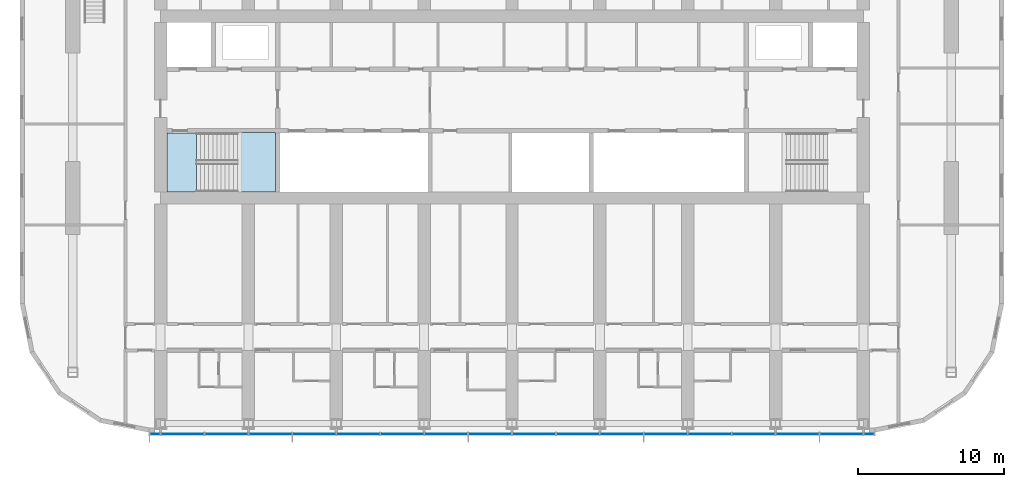
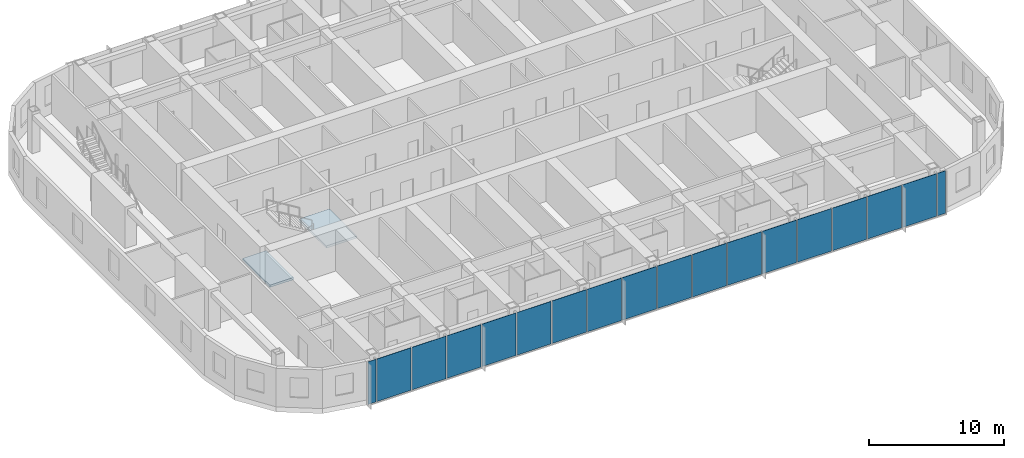
# One storey, part 11 of 29: 18 plates, 2 slabs, 2 elements without a shape of their own.
"""IFC4 building model written with IfcOpenShell, lengths in metres."""

from ifc_helpers import new_model, si_unit, direction, frame, origin, origin_2d, place, context, subcontext, project, spatial, polyline, rectangle, outline, extrude, material, layer, layer_set, type_object, element, aggregate, save


model = new_model("IFC4")

# Units and contexts
model_context = context("Model", 3, precision=1e-05, world=origin(), true_north=direction((0.0, 1.0)))
body_context = subcontext(model_context, "Body", "Model", "MODEL_VIEW")
ifc_project = project(units=[si_unit("LENGTHUNIT", "METRE"), si_unit("AREAUNIT", "SQUARE_METRE"), si_unit("VOLUMEUNIT", "CUBIC_METRE"), si_unit("PLANEANGLEUNIT", "RADIAN"), si_unit("MASSUNIT", "GRAM", prefix="KILO")], contexts=[model_context])

# Site, building, storey
site_placement = place(None, origin())
site = spatial("IfcSite", under=ifc_project, at=site_placement, CompositionType="ELEMENT")
building_placement = place(site_placement, origin())
building = spatial("IfcBuilding", under=site, at=building_placement, Name="Orbita Commons", CompositionType="ELEMENT")
storey_placement = place(building_placement, frame((0.0, 0.0, 163.60009765625)))
storey = spatial("IfcBuildingStorey", under=building, at=storey_placement, Name="L40", CompositionType="ELEMENT", Elevation=163.60009765625)

# Curtain wall, plates
ifc_material_1 = material(Name="Anodised aluminium frame, pale silver", Category="aluminium")
curtain_wall_type = type_object("IfcCurtainWallType", Name="Unitised curtain wall CW-U, full-height vision", PredefinedType="NOTDEFINED", material=ifc_material_1)
curtain_wall_placement = place(storey_placement, origin())
curtain_wall = element("IfcCurtainWall", 1, at=curtain_wall_placement, inside=storey, type_object=curtain_wall_type, Name="Curtain wall south L40", PredefinedType="NOTDEFINED")
ifc_material_2 = material(Name="Clear double glazing", Category="glass")
ifc_layer_1 = layer(ifc_material_2, 0.031982421875)
ifc_layer_set_1 = layer_set([ifc_layer_1], Name="Clear double glazing")
plate_type = type_object("IfcPlateType", Name="Full-height vision panel, clear glazing 32", PredefinedType="CURTAIN_PANEL", material=ifc_layer_set_1)
plate_1_placement = place(storey_placement, frame((17.6201171875, 9.68994140625, -0.35009765625), z_axis=(0.0, 0.0, 1.0), x_axis=(1.0, 0.0, 0.0)))
plate_1 = element("IfcPlate", 2, at=plate_1_placement, type_object=plate_type, Name="Panel 1.1 CW-L40-S", PredefinedType="CURTAIN_PANEL", context=body_context, shape_type="SweptSolid", body=[
    extrude(rectangle(XDim=0.679931640625, YDim=0.031982421875, at=origin_2d()), origin(), (0.0, 0.0, 1.0), 3.85009765625),
])
plate_2_placement = place(storey_placement, frame((19.5, 9.68994140625, -0.35009765625), z_axis=(0.0, 0.0, 1.0), x_axis=(1.0, 0.0, 0.0)))
plate_2 = element("IfcPlate", 3, at=plate_2_placement, type_object=plate_type, Name="Panel 2.1 CW-L40-S", PredefinedType="CURTAIN_PANEL", context=body_context, shape_type="SweptSolid", body=[
    extrude(rectangle(XDim=2.919921875, YDim=0.031982421875, at=origin_2d()), origin(), (0.0, 0.0, 1.0), 3.85009765625),
])
plate_3_placement = place(storey_placement, frame((22.5, 9.68994140625, -0.35009765625), z_axis=(0.0, 0.0, 1.0), x_axis=(1.0, 0.0, 0.0)))
plate_3 = element("IfcPlate", 4, at=plate_3_placement, type_object=plate_type, Name="Panel 3.1 CW-L40-S", PredefinedType="CURTAIN_PANEL", context=body_context, shape_type="SweptSolid", body=[
    extrude(rectangle(XDim=2.919921875, YDim=0.031982421875, at=origin_2d()), origin(), (0.0, 0.0, 1.0), 3.85009765625),
])
plate_4_placement = place(storey_placement, frame((25.5, 9.68994140625, -0.35009765625), z_axis=(0.0, 0.0, 1.0), x_axis=(1.0, 0.0, 0.0)))
plate_4 = element("IfcPlate", 5, at=plate_4_placement, type_object=plate_type, Name="Panel 4.1 CW-L40-S", PredefinedType="CURTAIN_PANEL", context=body_context, shape_type="SweptSolid", body=[
    extrude(rectangle(XDim=2.919921875, YDim=0.031982421875, at=origin_2d()), origin(), (0.0, 0.0, 1.0), 3.85009765625),
])
plate_5_placement = place(storey_placement, frame((28.5, 9.68994140625, -0.35009765625), z_axis=(0.0, 0.0, 1.0), x_axis=(1.0, 0.0, 0.0)))
plate_5 = element("IfcPlate", 6, at=plate_5_placement, type_object=plate_type, Name="Panel 5.1 CW-L40-S", PredefinedType="CURTAIN_PANEL", context=body_context, shape_type="SweptSolid", body=[
    extrude(rectangle(XDim=2.919921875, YDim=0.031982421875, at=origin_2d()), origin(), (0.0, 0.0, 1.0), 3.85009765625),
])
plate_6_placement = place(storey_placement, frame((31.5, 9.68994140625, -0.35009765625), z_axis=(0.0, 0.0, 1.0), x_axis=(1.0, 0.0, 0.0)))
plate_6 = element("IfcPlate", 7, at=plate_6_placement, type_object=plate_type, Name="Panel 6.1 CW-L40-S", PredefinedType="CURTAIN_PANEL", context=body_context, shape_type="SweptSolid", body=[
    extrude(rectangle(XDim=2.919921875, YDim=0.031982421875, at=origin_2d()), origin(), (0.0, 0.0, 1.0), 3.85009765625),
])
plate_7_placement = place(storey_placement, frame((34.5, 9.68994140625, -0.35009765625), z_axis=(0.0, 0.0, 1.0), x_axis=(1.0, 0.0, 0.0)))
plate_7 = element("IfcPlate", 8, at=plate_7_placement, type_object=plate_type, Name="Panel 7.1 CW-L40-S", PredefinedType="CURTAIN_PANEL", context=body_context, shape_type="SweptSolid", body=[
    extrude(rectangle(XDim=2.919921875, YDim=0.031982421875, at=origin_2d()), origin(), (0.0, 0.0, 1.0), 3.85009765625),
])
plate_8_placement = place(storey_placement, frame((37.5, 9.68994140625, -0.35009765625), z_axis=(0.0, 0.0, 1.0), x_axis=(1.0, 0.0, 0.0)))
plate_8 = element("IfcPlate", 9, at=plate_8_placement, type_object=plate_type, Name="Panel 8.1 CW-L40-S", PredefinedType="CURTAIN_PANEL", context=body_context, shape_type="SweptSolid", body=[
    extrude(rectangle(XDim=2.919921875, YDim=0.031982421875, at=origin_2d()), origin(), (0.0, 0.0, 1.0), 3.85009765625),
])
plate_9_placement = place(storey_placement, frame((40.5, 9.68994140625, -0.35009765625), z_axis=(0.0, 0.0, 1.0), x_axis=(1.0, 0.0, 0.0)))
plate_9 = element("IfcPlate", 10, at=plate_9_placement, type_object=plate_type, Name="Panel 9.1 CW-L40-S", PredefinedType="CURTAIN_PANEL", context=body_context, shape_type="SweptSolid", body=[
    extrude(rectangle(XDim=2.919921875, YDim=0.031982421875, at=origin_2d()), origin(), (0.0, 0.0, 1.0), 3.85009765625),
])
plate_10_placement = place(storey_placement, frame((43.5, 9.68994140625, -0.35009765625), z_axis=(0.0, 0.0, 1.0), x_axis=(1.0, 0.0, 0.0)))
plate_10 = element("IfcPlate", 11, at=plate_10_placement, type_object=plate_type, Name="Panel 10.1 CW-L40-S", PredefinedType="CURTAIN_PANEL", context=body_context, shape_type="SweptSolid", body=[
    extrude(rectangle(XDim=2.919921875, YDim=0.031982421875, at=origin_2d()), origin(), (0.0, 0.0, 1.0), 3.85009765625),
])
plate_11_placement = place(storey_placement, frame((46.5, 9.68994140625, -0.35009765625), z_axis=(0.0, 0.0, 1.0), x_axis=(1.0, 0.0, 0.0)))
plate_11 = element("IfcPlate", 12, at=plate_11_placement, type_object=plate_type, Name="Panel 11.1 CW-L40-S", PredefinedType="CURTAIN_PANEL", context=body_context, shape_type="SweptSolid", body=[
    extrude(rectangle(XDim=2.919921875, YDim=0.031982421875, at=origin_2d()), origin(), (0.0, 0.0, 1.0), 3.85009765625),
])
plate_12_placement = place(storey_placement, frame((49.5, 9.68994140625, -0.35009765625), z_axis=(0.0, 0.0, 1.0), x_axis=(1.0, 0.0, 0.0)))
plate_12 = element("IfcPlate", 13, at=plate_12_placement, type_object=plate_type, Name="Panel 12.1 CW-L40-S", PredefinedType="CURTAIN_PANEL", context=body_context, shape_type="SweptSolid", body=[
    extrude(rectangle(XDim=2.919921875, YDim=0.031982421875, at=origin_2d()), origin(), (0.0, 0.0, 1.0), 3.85009765625),
])
plate_13_placement = place(storey_placement, frame((52.5, 9.68994140625, -0.35009765625), z_axis=(0.0, 0.0, 1.0), x_axis=(1.0, 0.0, 0.0)))
plate_13 = element("IfcPlate", 14, at=plate_13_placement, type_object=plate_type, Name="Panel 13.1 CW-L40-S", PredefinedType="CURTAIN_PANEL", context=body_context, shape_type="SweptSolid", body=[
    extrude(rectangle(XDim=2.919921875, YDim=0.031982421875, at=origin_2d()), origin(), (0.0, 0.0, 1.0), 3.85009765625),
])
plate_14_placement = place(storey_placement, frame((55.5, 9.68994140625, -0.35009765625), z_axis=(0.0, 0.0, 1.0), x_axis=(1.0, 0.0, 0.0)))
plate_14 = element("IfcPlate", 15, at=plate_14_placement, type_object=plate_type, Name="Panel 14.1 CW-L40-S", PredefinedType="CURTAIN_PANEL", context=body_context, shape_type="SweptSolid", body=[
    extrude(rectangle(XDim=2.919921875, YDim=0.031982421875, at=origin_2d()), origin(), (0.0, 0.0, 1.0), 3.85009765625),
])
plate_15_placement = place(storey_placement, frame((58.5, 9.68994140625, -0.35009765625), z_axis=(0.0, 0.0, 1.0), x_axis=(1.0, 0.0, 0.0)))
plate_15 = element("IfcPlate", 16, at=plate_15_placement, type_object=plate_type, Name="Panel 15.1 CW-L40-S", PredefinedType="CURTAIN_PANEL", context=body_context, shape_type="SweptSolid", body=[
    extrude(rectangle(XDim=2.919921875, YDim=0.031982421875, at=origin_2d()), origin(), (0.0, 0.0, 1.0), 3.85009765625),
])
plate_16_placement = place(storey_placement, frame((61.5, 9.68994140625, -0.35009765625), z_axis=(0.0, 0.0, 1.0), x_axis=(1.0, 0.0, 0.0)))
plate_16 = element("IfcPlate", 17, at=plate_16_placement, type_object=plate_type, Name="Panel 16.1 CW-L40-S", PredefinedType="CURTAIN_PANEL", context=body_context, shape_type="SweptSolid", body=[
    extrude(rectangle(XDim=2.919921875, YDim=0.031982421875, at=origin_2d()), origin(), (0.0, 0.0, 1.0), 3.85009765625),
])
plate_17_placement = place(storey_placement, frame((64.5, 9.68994140625, -0.35009765625), z_axis=(0.0, 0.0, 1.0), x_axis=(1.0, 0.0, 0.0)))
plate_17 = element("IfcPlate", 18, at=plate_17_placement, type_object=plate_type, Name="Panel 17.1 CW-L40-S", PredefinedType="CURTAIN_PANEL", context=body_context, shape_type="SweptSolid", body=[
    extrude(rectangle(XDim=2.919921875, YDim=0.031982421875, at=origin_2d()), origin(), (0.0, 0.0, 1.0), 3.85009765625),
])
plate_18_placement = place(storey_placement, frame((66.3798828125, 9.68994140625, -0.35009765625), z_axis=(0.0, 0.0, 1.0), x_axis=(1.0, 0.0, 0.0)))
plate_18 = element("IfcPlate", 19, at=plate_18_placement, type_object=plate_type, Name="Panel 18.1 CW-L40-S", PredefinedType="CURTAIN_PANEL", context=body_context, shape_type="SweptSolid", body=[
    extrude(rectangle(XDim=0.679931640625, YDim=0.031982421875, at=origin_2d()), origin(), (0.0, 0.0, 1.0), 3.85009765625),
])
aggregate(curtain_wall, [plate_1, plate_2, plate_3, plate_4, plate_5, plate_6, plate_7, plate_8, plate_9, plate_10, plate_11, plate_12, plate_13, plate_14, plate_15, plate_16, plate_17, plate_18])

# Stair, slabs
ifc_material_3 = material(Name="Precast concrete C40/50", Category="concrete")
stair_type = type_object("IfcStairType", Name="Exit stair S1 2 flights 11 risers 170", PredefinedType="HALF_TURN_STAIR", material=ifc_material_3)
stair_placement = place(storey_placement, origin())
stair = element("IfcStair", 20, at=stair_placement, inside=storey, type_object=stair_type, Name="Exit stair S1 L40", PredefinedType="HALF_TURN_STAIR")
ifc_material_4 = material(Name="Concrete C40/50", Category="concrete")
ifc_layer_2 = layer(ifc_material_4, 0.199951171875)
ifc_layer_set_2 = layer_set([ifc_layer_2], Name="Concrete C40/50")
slab_type = type_object("IfcSlabType", Name="Stair landing 200", PredefinedType="LANDING", material=ifc_layer_set_2)
slab_1_placement = place(storey_placement, frame((0.0, 0.0, -0.2001953125)))
slab_1 = element("IfcSlab", 21, at=slab_1_placement, type_object=slab_type, Name="S1 landing 1", PredefinedType="LANDING", context=body_context, shape_type="SweptSolid", body=[
    extrude(outline(polyline([(18.425048828125, 26.22509765625), (20.449951171875, 26.22509765625), (20.449951171875, 30.25), (18.425048828125, 30.25), (18.425048828125, 26.22509765625)])), origin(), (0.0, 0.0, 1.0), 0.2001953125),
])
slab_2_placement = place(storey_placement, frame((0.0, 0.0, 1.6748046875)))
slab_2 = element("IfcSlab", 22, at=slab_2_placement, type_object=slab_type, Name="S1 landing 2", PredefinedType="LANDING", context=body_context, shape_type="SweptSolid", body=[
    extrude(outline(polyline([(23.25, 26.2099609375), (25.864990234375, 26.2099609375), (25.864990234375, 30.264892578125), (23.25, 30.264892578125), (23.25, 26.2099609375)])), origin(), (0.0, 0.0, 1.0), 0.2001953125),
])
aggregate(stair, [slab_1, slab_2])

save(model, "model.ifc")
